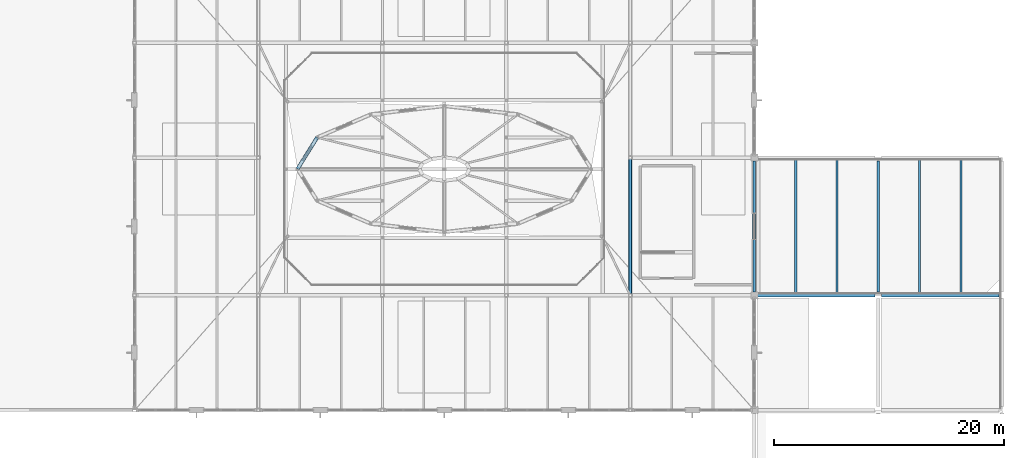
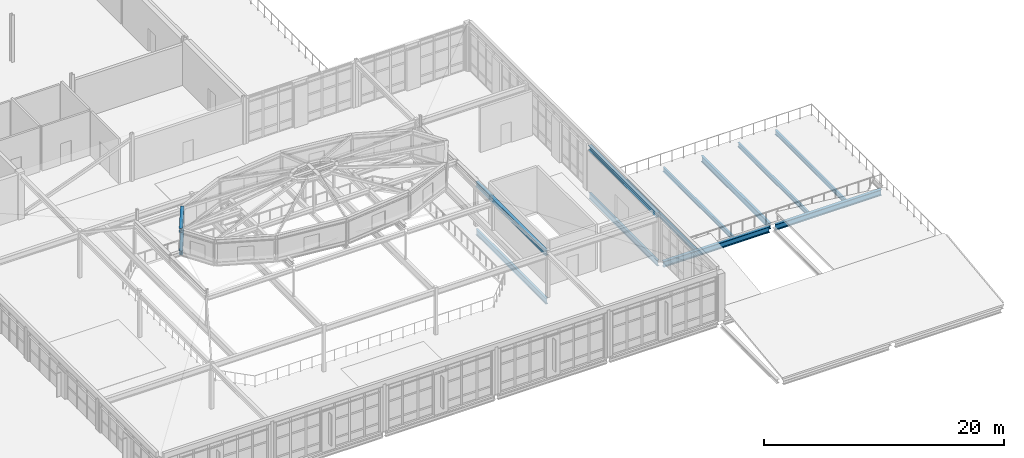
# One storey, part 35 of 86: 13 beams.
"""IFC4 building model written with IfcOpenShell, lengths in metres."""

from ifc_helpers import new_model, si_unit, direction, frame, origin, origin_2d, place, context, subcontext, project, spatial, i_section, extrude, material, material_profile, profile_set, type_object, element, save


model = new_model("IFC4")

# Units and contexts
model_context = context("Model", 3, precision=1e-05, world=origin(), true_north=direction((0.0, 1.0)))
body_context = subcontext(model_context, "Body", "Model", "MODEL_VIEW")
ifc_project = project(units=[si_unit("LENGTHUNIT", "METRE"), si_unit("AREAUNIT", "SQUARE_METRE"), si_unit("VOLUMEUNIT", "CUBIC_METRE"), si_unit("PLANEANGLEUNIT", "RADIAN"), si_unit("MASSUNIT", "GRAM", prefix="KILO")], contexts=[model_context])

# Site, building, storey
site_placement = place(None, origin())
site = spatial("IfcSite", under=ifc_project, at=site_placement, CompositionType="ELEMENT")
building_placement = place(site_placement, origin())
building = spatial("IfcBuilding", under=site, at=building_placement, Name="Tasgan Crest Museum", CompositionType="ELEMENT")
storey_placement = place(building_placement, frame((0.0, 0.0, 24.0)))
storey = spatial("IfcBuildingStorey", under=building, at=storey_placement, Name="L04", CompositionType="ELEMENT", Elevation=24.0)

# Beams
ifc_material_1 = material(Name="Steel S355K2", Category="steel")
ifc_material_profile_1 = material_profile(ifc_material_1, i_section(OverallWidth=0.300048828125, OverallDepth=0.43994140625, WebThickness=0.011474609375, FlangeThickness=0.02099609375, FilletRadius=0.027099609375, at=origin_2d()), Name="HEA 450")
ifc_profile_set_1 = profile_set([ifc_material_profile_1], Name="Steel S355K2")
beam_type_1 = type_object("IfcBeamType", Name="BM-DRUM-RING", PredefinedType="BEAM", material=ifc_profile_set_1)
for number, where, z_axis, x_axis, name in (
    (1, (69.914794921875, 63.75, 7.919921875), (-0.529131922022, -0.848539574267, 0.0), (0.848539574267, -0.529131922022, 0.0), "Rotunda base ring 6"),
    (2, (69.914794921875, 63.75, 10.219970703125), (-0.529131922022, -0.848539574267, 0.0), (0.848539574267, -0.529131922022, 0.0), "Rotunda eave ring 6"),
):
    element("IfcBeam", number, at=place(storey_placement, frame(where, z_axis=z_axis, x_axis=x_axis)), inside=storey, type_object=beam_type_1, Name=name, PredefinedType="BEAM", context=body_context, shape_type="SweptSolid", body=[
        extrude(i_section(OverallWidth=0.300048828125, OverallDepth=0.43994140625, WebThickness=0.011474609375, FlangeThickness=0.02099609375, FilletRadius=0.027099609375, at=origin_2d()), origin(), (0.0, 0.0, 1.0), 3.240966796875),
    ])
ifc_material_2 = material(Name="Steel S355J2", Category="steel")
ifc_material_profile_2 = material_profile(ifc_material_2, i_section(OverallWidth=0.300048828125, OverallDepth=0.489990234375, WebThickness=0.011962890625, FlangeThickness=0.02294921875, FilletRadius=0.027099609375, at=origin_2d()), Name="HEA 500")
ifc_profile_set_2 = profile_set([ifc_material_profile_2], Name="Steel S355J2")
beam_type_2 = type_object("IfcBeamType", Name="BM-G-HEA500", PredefinedType="BEAM", material=ifc_profile_set_2)
beam_1_placement = place(storey_placement, frame((97.199951171875, 50.14599609375, 4.35498046875), z_axis=(0.0, 1.0, 0.0), x_axis=(-1.0, 0.0, 0.0)))
element("IfcBeam", 3, at=beam_1_placement, inside=storey, type_object=beam_type_2, Name="Winter-garden roof beam 10 50-62", PredefinedType="BEAM", context=body_context, shape_type="SweptSolid", body=[
    extrude(i_section(OverallWidth=0.300048828125, OverallDepth=0.489990234375, WebThickness=0.011962890625, FlangeThickness=0.02294921875, FilletRadius=0.027099609375, at=origin_2d()), origin(), (0.0, 0.0, 1.0), 11.7080078125),
])
beam_2_placement = place(storey_placement, frame((108.0, 50.2958984375, 4.35498046875), z_axis=(0.0, 1.0, 0.0), x_axis=(-1.0, 0.0, 0.0)))
element("IfcBeam", 4, at=beam_2_placement, inside=storey, type_object=beam_type_2, Name="Winter-garden roof beam 11 50-62", PredefinedType="BEAM", context=body_context, shape_type="SweptSolid", body=[
    extrude(i_section(OverallWidth=0.300048828125, OverallDepth=0.489990234375, WebThickness=0.011962890625, FlangeThickness=0.02294921875, FilletRadius=0.027099609375, at=origin_2d()), origin(), (0.0, 0.0, 1.0), 11.408203125),
])
ifc_material_3 = material(Name="Steel S355J2", Category="steel")
ifc_material_profile_3 = material_profile(ifc_material_3, i_section(OverallWidth=0.300048828125, OverallDepth=0.590087890625, WebThickness=0.012939453125, FlangeThickness=0.02490234375, FilletRadius=0.027099609375, at=origin_2d()), Name="HEA 600")
ifc_profile_set_3 = profile_set([ifc_material_profile_3], Name="Steel S355J2")
beam_type_3 = type_object("IfcBeamType", Name="BM-G-HEA600", PredefinedType="BEAM", material=ifc_profile_set_3)
for number, where, z_axis, x_axis, name in (
    (5, (108.2958984375, 50.0, -0.544921875), (1.0, 0.0, 0.0), (0.0, 1.0, 0.0), "Girder L04 F 108.0-118.8"),
    (6, (119.095947265625, 50.0, -0.544921875), (1.0, 0.0, 0.0), (0.0, 1.0, 0.0), "Girder L04 F 118.8-129.6"),
):
    element("IfcBeam", number, at=place(storey_placement, frame(where, z_axis=z_axis, x_axis=x_axis)), inside=storey, type_object=beam_type_3, Name=name, PredefinedType="BEAM", context=body_context, shape_type="SweptSolid", body=[
        extrude(i_section(OverallWidth=0.300048828125, OverallDepth=0.590087890625, WebThickness=0.012939453125, FlangeThickness=0.02490234375, FilletRadius=0.027099609375, at=origin_2d()), origin(), (0.0, 0.0, 1.0), 10.2080078125),
    ])
ifc_material_4 = material(Name="Steel S355J2", Category="steel")
ifc_material_profile_4 = material_profile(ifc_material_4, i_section(OverallWidth=0.219970703125, OverallDepth=0.60009765625, WebThickness=0.011962890625, FlangeThickness=0.01904296875, FilletRadius=0.02392578125, at=origin_2d()), Name="IPE 600")
ifc_profile_set_4 = profile_set([ifc_material_profile_4], Name="Steel S355J2")
beam_type_4 = type_object("IfcBeamType", Name="BM-G-IPE600", PredefinedType="BEAM", material=ifc_profile_set_4)
beam_3_placement = place(storey_placement, frame((97.199951171875, 50.14501953125, -0.5400390625), z_axis=(0.0, 1.0, 0.0), x_axis=(-1.0, 0.0, 0.0)))
element("IfcBeam", 7, at=beam_3_placement, inside=storey, type_object=beam_type_4, Name="Beam L04 10 50.0-62.0", PredefinedType="BEAM", context=body_context, shape_type="SweptSolid", body=[
    extrude(i_section(OverallWidth=0.219970703125, OverallDepth=0.60009765625, WebThickness=0.011962890625, FlangeThickness=0.01904296875, FilletRadius=0.02392578125, at=origin_2d()), origin(), (0.0, 0.0, 1.0), 11.7099609375),
])
for number, where, z_axis, x_axis, name in (
    (8, (108.0, 50.294921875, -0.550048828125), (0.0, 1.0, 0.0), (-1.0, 0.0, 0.0), "Beam L04 11 50.0-62.0"),
    (9, (118.800048828125, 50.294921875, -0.550048828125), (0.0, 1.0, 0.0), (-1.0, 0.0, 0.0), "Beam L04 12 50.0-62.0"),
):
    element("IfcBeam", number, at=place(storey_placement, frame(where, z_axis=z_axis, x_axis=x_axis)), inside=storey, type_object=beam_type_4, Name=name, PredefinedType="BEAM", context=body_context, shape_type="SweptSolid", body=[
        extrude(i_section(OverallWidth=0.219970703125, OverallDepth=0.60009765625, WebThickness=0.011962890625, FlangeThickness=0.01904296875, FilletRadius=0.02392578125, at=origin_2d()), origin(), (0.0, 0.0, 1.0), 11.41015625),
    ])
ifc_material_5 = material(Name="Steel S355J2", Category="steel")
ifc_material_profile_5 = material_profile(ifc_material_5, i_section(OverallWidth=0.18994140625, OverallDepth=0.449951171875, WebThickness=0.009521484375, FlangeThickness=0.0146484375, FilletRadius=0.02099609375, at=origin_2d()), Name="IPE 450")
ifc_profile_set_5 = profile_set([ifc_material_profile_5], Name="Steel S355J2")
beam_type_5 = type_object("IfcBeamType", Name="BM-J-IPE450", PredefinedType="JOIST", material=ifc_profile_set_5)
for number, where, z_axis, x_axis, name in (
    (10, (111.60009765625, 50.14501953125, -0.47509765625), (0.0, 1.0, 0.0), (-1.0, 0.0, 0.0), "Secondary joist L04 X=111.6 Y=50.0-62.0"),
    (11, (115.199951171875, 50.14501953125, -0.47509765625), (0.0, 1.0, 0.0), (-1.0, 0.0, 0.0), "Secondary joist L04 X=115.2 Y=50.0-62.0"),
    (12, (122.39990234375, 50.14501953125, -0.47509765625), (0.0, 1.0, 0.0), (-1.0, 0.0, 0.0), "Secondary joist L04 X=122.4 Y=50.0-62.0"),
    (13, (126.0, 50.14501953125, -0.47509765625), (0.0, 1.0, 0.0), (-1.0, 0.0, 0.0), "Secondary joist L04 X=126.0 Y=50.0-62.0"),
):
    element("IfcBeam", number, at=place(storey_placement, frame(where, z_axis=z_axis, x_axis=x_axis)), inside=storey, type_object=beam_type_5, Name=name, PredefinedType="JOIST", context=body_context, shape_type="SweptSolid", body=[
        extrude(i_section(OverallWidth=0.18994140625, OverallDepth=0.449951171875, WebThickness=0.009521484375, FlangeThickness=0.0146484375, FilletRadius=0.02099609375, at=origin_2d()), origin(), (0.0, 0.0, 1.0), 11.7099609375),
    ])

save(model, "model.ifc")
